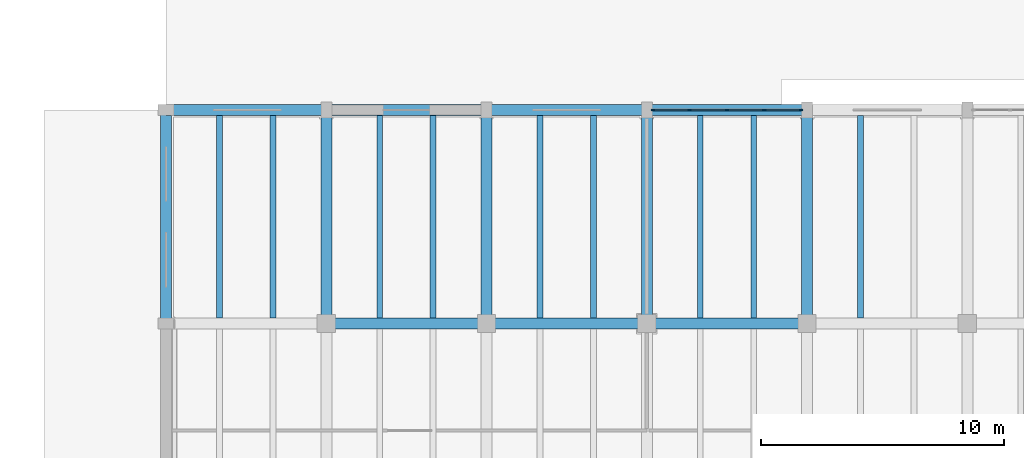
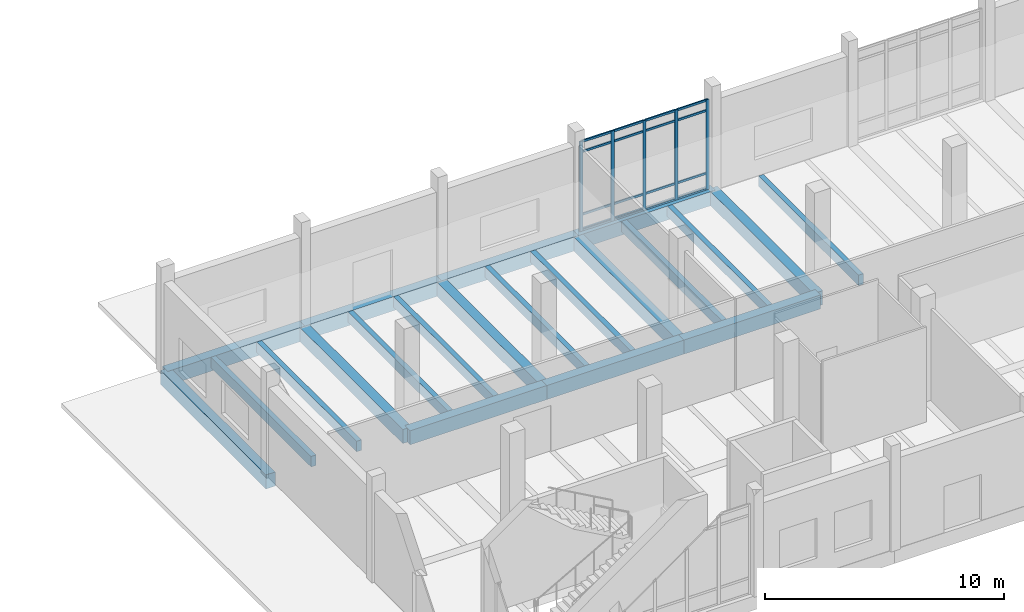
# One storey, part 11 of 72: 21 beams, 21 members, 1 element without a shape of its own.
"""IFC4 building model written with IfcOpenShell, lengths in metres."""

from ifc_helpers import new_model, si_unit, direction, frame, origin, origin_2d, place, context, subcontext, project, spatial, rectangle, extrude, material, material_profile, profile_set, type_object, element, aggregate, save


model = new_model("IFC4")

# Units and contexts
model_context = context("Model", 3, precision=1e-05, world=origin(), true_north=direction((0.0, 1.0)))
body_context = subcontext(model_context, "Body", "Model", "MODEL_VIEW")
ifc_project = project(units=[si_unit("LENGTHUNIT", "METRE"), si_unit("AREAUNIT", "SQUARE_METRE"), si_unit("VOLUMEUNIT", "CUBIC_METRE"), si_unit("PLANEANGLEUNIT", "RADIAN"), si_unit("MASSUNIT", "GRAM", prefix="KILO")], contexts=[model_context])

# Site, building, storey
site_placement = place(None, origin())
site = spatial("IfcSite", under=ifc_project, at=site_placement, CompositionType="ELEMENT")
building_placement = place(site_placement, origin())
building = spatial("IfcBuilding", under=site, at=building_placement, Name="Dornvale Research Institute", CompositionType="ELEMENT")
storey_placement = place(building_placement, origin())
storey = spatial("IfcBuildingStorey", under=building, at=storey_placement, Name="L00", CompositionType="ELEMENT", Elevation=0.0)

# Beams
ifc_material_1 = material(Name="Concrete f'c 45 MPa (C35/45)", Category="concrete")
ifc_material_profile_1 = material_profile(ifc_material_1, rectangle(XDim=0.449951171875, YDim=0.715087890625, at=origin_2d()), Name="RC 450x715")
ifc_profile_set_1 = profile_set([ifc_material_profile_1], Name="Concrete f'c 45 MPa (C35/45)")
beam_type_1 = type_object("IfcBeamType", Name="Beam_RC450x715_Lab", PredefinedType="BEAM", material=ifc_profile_set_1)
beam_1_placement = place(storey_placement, frame((105.60009765625, 17.60009765625, -0.357421875), z_axis=(1.0, 0.0, 0.0), x_axis=(0.0, 1.0, 0.0)))
element("IfcBeam", 1, at=beam_1_placement, inside=storey, type_object=beam_type_1, Name="L00 primary girder #156", PredefinedType="BEAM", context=body_context, shape_type="SweptSolid", body=[
    extrude(rectangle(XDim=0.449951171875, YDim=0.715087890625, at=origin_2d()), origin(), (0.0, 0.0, 1.0), 6.599853515625),
])
beam_2_placement = place(storey_placement, frame((112.199951171875, 17.60009765625, -0.357421875), z_axis=(1.0, 0.0, 0.0), x_axis=(0.0, 1.0, 0.0)))
element("IfcBeam", 2, at=beam_2_placement, inside=storey, type_object=beam_type_1, Name="L00 primary girder #157", PredefinedType="BEAM", context=body_context, shape_type="SweptSolid", body=[
    extrude(rectangle(XDim=0.449951171875, YDim=0.715087890625, at=origin_2d()), origin(), (0.0, 0.0, 1.0), 6.60009765625),
])
beam_3_placement = place(storey_placement, frame((118.800048828125, 17.60009765625, -0.357421875), z_axis=(1.0, 0.0, 0.0), x_axis=(0.0, 1.0, 0.0)))
element("IfcBeam", 3, at=beam_3_placement, inside=storey, type_object=beam_type_1, Name="L00 primary girder #158", PredefinedType="BEAM", context=body_context, shape_type="SweptSolid", body=[
    extrude(rectangle(XDim=0.449951171875, YDim=0.715087890625, at=origin_2d()), origin(), (0.0, 0.0, 1.0), 6.599853515625),
])
beam_4_placement = place(storey_placement, frame((99.0, 26.39990234375, -0.357421875), z_axis=(1.0, 0.0, 0.0), x_axis=(0.0, 1.0, 0.0)))
element("IfcBeam", 4, at=beam_4_placement, inside=storey, type_object=beam_type_1, Name="L00 primary girder #167", PredefinedType="BEAM", context=body_context, shape_type="SweptSolid", body=[
    extrude(rectangle(XDim=0.449951171875, YDim=0.715087890625, at=origin_2d()), origin(), (0.0, 0.0, 1.0), 6.60009765625),
])
beam_5_placement = place(storey_placement, frame((105.60009765625, 26.39990234375, -0.357421875), z_axis=(1.0, 0.0, 0.0), x_axis=(0.0, 1.0, 0.0)))
element("IfcBeam", 5, at=beam_5_placement, inside=storey, type_object=beam_type_1, Name="L00 primary girder #168", PredefinedType="BEAM", context=body_context, shape_type="SweptSolid", body=[
    extrude(rectangle(XDim=0.449951171875, YDim=0.715087890625, at=origin_2d()), origin(), (0.0, 0.0, 1.0), 6.599853515625),
])
beam_6_placement = place(storey_placement, frame((112.199951171875, 26.39990234375, -0.357421875), z_axis=(1.0, 0.0, 0.0), x_axis=(0.0, 1.0, 0.0)))
element("IfcBeam", 6, at=beam_6_placement, inside=storey, type_object=beam_type_1, Name="L00 primary girder #169", PredefinedType="BEAM", context=body_context, shape_type="SweptSolid", body=[
    extrude(rectangle(XDim=0.449951171875, YDim=0.715087890625, at=origin_2d()), origin(), (0.0, 0.0, 1.0), 6.60009765625),
])
beam_7_placement = place(storey_placement, frame((118.800048828125, 26.39990234375, -0.357421875), z_axis=(1.0, 0.0, 0.0), x_axis=(0.0, 1.0, 0.0)))
element("IfcBeam", 7, at=beam_7_placement, inside=storey, type_object=beam_type_1, Name="L00 primary girder #170", PredefinedType="BEAM", context=body_context, shape_type="SweptSolid", body=[
    extrude(rectangle(XDim=0.449951171875, YDim=0.715087890625, at=origin_2d()), origin(), (0.0, 0.0, 1.0), 6.599853515625),
])
for number, where, z_axis, x_axis, name in (
    (8, (99.0, 17.60009765625, -0.357421875), (0.0, 1.0, 0.0), (-1.0, 0.0, 0.0), "L00 transverse girder #181"),
    (9, (105.60009765625, 17.60009765625, -0.357421875), (0.0, 1.0, 0.0), (-1.0, 0.0, 0.0), "L00 transverse girder #183"),
    (10, (112.199951171875, 17.60009765625, -0.357421875), (0.0, 1.0, 0.0), (-1.0, 0.0, 0.0), "L00 transverse girder #186"),
    (11, (118.800048828125, 17.60009765625, -0.357421875), (0.0, 1.0, 0.0), (-1.0, 0.0, 0.0), "L00 transverse girder #189"),
    (12, (125.39990234375, 17.60009765625, -0.357421875), (0.0, 1.0, 0.0), (-1.0, 0.0, 0.0), "L00 transverse girder #192"),
):
    element("IfcBeam", number, at=place(storey_placement, frame(where, z_axis=z_axis, x_axis=x_axis)), inside=storey, type_object=beam_type_1, Name=name, PredefinedType="BEAM", context=body_context, shape_type="SweptSolid", body=[
        extrude(rectangle(XDim=0.449951171875, YDim=0.715087890625, at=origin_2d()), origin(), (0.0, 0.0, 1.0), 8.7998046875),
    ])
ifc_material_2 = material(Name="Concrete f'c 45 MPa (C35/45)", Category="concrete")
ifc_material_profile_2 = material_profile(ifc_material_2, rectangle(XDim=0.239990234375, YDim=0.534912109375, at=origin_2d()), Name="RC 240x535")
ifc_profile_set_2 = profile_set([ifc_material_profile_2], Name="Concrete f'c 45 MPa (C35/45)")
beam_type_2 = type_object("IfcBeamType", Name="Joist_RC240x535_Waffle", PredefinedType="JOIST", material=ifc_profile_set_2)
for number, where, z_axis, x_axis, name in (
    (13, (101.199951171875, 17.824951171875, -0.267578125), (0.0, 1.0, 0.0), (-1.0, 0.0, 0.0), "L00 laboratory waffle joist #79"),
    (14, (103.39990234375, 17.824951171875, -0.267578125), (0.0, 1.0, 0.0), (-1.0, 0.0, 0.0), "L00 laboratory waffle joist #80"),
    (15, (107.800048828125, 17.824951171875, -0.267578125), (0.0, 1.0, 0.0), (-1.0, 0.0, 0.0), "L00 laboratory waffle joist #83"),
    (16, (110.0, 17.824951171875, -0.267578125), (0.0, 1.0, 0.0), (-1.0, 0.0, 0.0), "L00 laboratory waffle joist #84"),
    (17, (114.39990234375, 17.824951171875, -0.267578125), (0.0, 1.0, 0.0), (-1.0, 0.0, 0.0), "L00 laboratory waffle joist #87"),
    (18, (116.60009765625, 17.824951171875, -0.267578125), (0.0, 1.0, 0.0), (-1.0, 0.0, 0.0), "L00 laboratory waffle joist #88"),
    (19, (121.0, 17.824951171875, -0.267578125), (0.0, 1.0, 0.0), (-1.0, 0.0, 0.0), "L00 laboratory waffle joist #93"),
    (20, (123.199951171875, 17.824951171875, -0.267578125), (0.0, 1.0, 0.0), (-1.0, 0.0, 0.0), "L00 laboratory waffle joist #94"),
    (21, (127.60009765625, 17.824951171875, -0.267578125), (0.0, 1.0, 0.0), (-1.0, 0.0, 0.0), "L00 laboratory waffle joist #99"),
):
    element("IfcBeam", number, at=place(storey_placement, frame(where, z_axis=z_axis, x_axis=x_axis)), inside=storey, type_object=beam_type_2, Name=name, PredefinedType="JOIST", context=body_context, shape_type="SweptSolid", body=[
        extrude(rectangle(XDim=0.239990234375, YDim=0.534912109375, at=origin_2d()), origin(), (0.0, 0.0, 1.0), 8.35009765625),
    ])

# Curtain wall, members
ifc_material_3 = material(Name="Low-E Argon Double Insulating Glazing Unit", Category="glass")
curtain_wall_type = type_object("IfcCurtainWallType", Name="UnitisedCurtainWall_V3_6150x4600", PredefinedType="USERDEFINED", material=ifc_material_3)
curtain_wall_placement = place(storey_placement, origin())
curtain_wall = element("IfcCurtainWall", 22, at=curtain_wall_placement, inside=storey, type_object=curtain_wall_type, Name="L00 V3 unitised curtain wall CW-04 #20", ObjectType="UNITISED CURTAIN WALL", PredefinedType="USERDEFINED")
ifc_material_4 = material(Name="Anodized Aluminum AA 6063-T6 Thermally Broken Frame", Category="aluminium")
ifc_material_profile_3 = material_profile(ifc_material_4, rectangle(XDim=0.06494140625, YDim=0.14990234375, at=origin_2d()), Name="ALU MULLION 65x150")
ifc_profile_set_3 = profile_set([ifc_material_profile_3], Name="Anodized Aluminum AA 6063-T6 Thermally Broken Frame")
member_type_1 = type_object("IfcMemberType", Name="Mullion_CW_65x150", PredefinedType="MULLION", material=ifc_profile_set_3)
member_1_placement = place(storey_placement, frame((119.0576171875, 26.39990234375, 0.0), z_axis=(0.0, 0.0, 1.0), x_axis=(0.0, 1.0, 0.0)))
member_1 = element("IfcMember", 23, at=member_1_placement, type_object=member_type_1, Name="CW-04 mullion 1", PredefinedType="MULLION", context=body_context, shape_type="SweptSolid", body=[
    extrude(rectangle(XDim=0.06494140625, YDim=0.14990234375, at=origin_2d()), origin(), (0.0, 0.0, 1.0), 4.60009765625),
])
member_2_placement = place(storey_placement, frame((120.5625, 26.39990234375, 0.0), z_axis=(0.0, 0.0, 1.0), x_axis=(0.0, 1.0, 0.0)))
member_2 = element("IfcMember", 24, at=member_2_placement, type_object=member_type_1, Name="CW-04 mullion 2", PredefinedType="MULLION", context=body_context, shape_type="SweptSolid", body=[
    extrude(rectangle(XDim=0.06494140625, YDim=0.14990234375, at=origin_2d()), origin(), (0.0, 0.0, 1.0), 4.60009765625),
])
member_3_placement = place(storey_placement, frame((122.10009765625, 26.39990234375, 0.0), z_axis=(0.0, 0.0, 1.0), x_axis=(0.0, 1.0, 0.0)))
member_3 = element("IfcMember", 25, at=member_3_placement, type_object=member_type_1, Name="CW-04 mullion 3", PredefinedType="MULLION", context=body_context, shape_type="SweptSolid", body=[
    extrude(rectangle(XDim=0.06494140625, YDim=0.14990234375, at=origin_2d()), origin(), (0.0, 0.0, 1.0), 4.60009765625),
])
member_4_placement = place(storey_placement, frame((123.637451171875, 26.39990234375, 0.0), z_axis=(0.0, 0.0, 1.0), x_axis=(0.0, 1.0, 0.0)))
member_4 = element("IfcMember", 26, at=member_4_placement, type_object=member_type_1, Name="CW-04 mullion 4", PredefinedType="MULLION", context=body_context, shape_type="SweptSolid", body=[
    extrude(rectangle(XDim=0.06494140625, YDim=0.14990234375, at=origin_2d()), origin(), (0.0, 0.0, 1.0), 4.60009765625),
])
member_5_placement = place(storey_placement, frame((125.142578125, 26.39990234375, 0.0), z_axis=(0.0, 0.0, 1.0), x_axis=(0.0, 1.0, 0.0)))
member_5 = element("IfcMember", 27, at=member_5_placement, type_object=member_type_1, Name="CW-04 mullion 5", PredefinedType="MULLION", context=body_context, shape_type="SweptSolid", body=[
    extrude(rectangle(XDim=0.06494140625, YDim=0.14990234375, at=origin_2d()), origin(), (0.0, 0.0, 1.0), 4.60009765625),
])
ifc_material_5 = material(Name="Anodized Aluminum AA 6063-T6 Thermally Broken Frame", Category="aluminium")
ifc_material_profile_4 = material_profile(ifc_material_5, rectangle(XDim=0.06494140625, YDim=0.110107421875, at=origin_2d()), Name="ALU TRANSOM 65x110")
ifc_profile_set_4 = profile_set([ifc_material_profile_4], Name="Anodized Aluminum AA 6063-T6 Thermally Broken Frame")
member_type_2 = type_object("IfcMemberType", Name="Transom_CW_65x110", PredefinedType="USERDEFINED", material=ifc_profile_set_4)
member_6_placement = place(storey_placement, frame((119.090087890625, 26.39990234375, 0.032470703125), z_axis=(1.0, 0.0, 0.0), x_axis=(0.0, 1.0, 0.0)))
member_6 = element("IfcMember", 28, at=member_6_placement, type_object=member_type_2, Name="CW-04 transom 1.1", ObjectType="TRANSOM", PredefinedType="USERDEFINED", context=body_context, shape_type="SweptSolid", body=[
    extrude(rectangle(XDim=0.06494140625, YDim=0.110107421875, at=origin_2d()), origin(), (0.0, 0.0, 1.0), 1.43994140625),
])
member_7_placement = place(storey_placement, frame((119.090087890625, 26.39990234375, 0.85009765625), z_axis=(1.0, 0.0, 0.0), x_axis=(0.0, 1.0, 0.0)))
member_7 = element("IfcMember", 29, at=member_7_placement, type_object=member_type_2, Name="CW-04 transom 1.2", ObjectType="TRANSOM", PredefinedType="USERDEFINED", context=body_context, shape_type="SweptSolid", body=[
    extrude(rectangle(XDim=0.06494140625, YDim=0.110107421875, at=origin_2d()), origin(), (0.0, 0.0, 1.0), 1.43994140625),
])
member_8_placement = place(storey_placement, frame((119.090087890625, 26.39990234375, 4.050048828125), z_axis=(1.0, 0.0, 0.0), x_axis=(0.0, 1.0, 0.0)))
member_8 = element("IfcMember", 30, at=member_8_placement, type_object=member_type_2, Name="CW-04 transom 1.3", ObjectType="TRANSOM", PredefinedType="USERDEFINED", context=body_context, shape_type="SweptSolid", body=[
    extrude(rectangle(XDim=0.06494140625, YDim=0.110107421875, at=origin_2d()), origin(), (0.0, 0.0, 1.0), 1.43994140625),
])
member_9_placement = place(storey_placement, frame((119.090087890625, 26.39990234375, 4.5673828125), z_axis=(1.0, 0.0, 0.0), x_axis=(0.0, 1.0, 0.0)))
member_9 = element("IfcMember", 31, at=member_9_placement, type_object=member_type_2, Name="CW-04 transom 1.4", ObjectType="TRANSOM", PredefinedType="USERDEFINED", context=body_context, shape_type="SweptSolid", body=[
    extrude(rectangle(XDim=0.06494140625, YDim=0.110107421875, at=origin_2d()), origin(), (0.0, 0.0, 1.0), 1.43994140625),
])
member_10_placement = place(storey_placement, frame((120.594970703125, 26.39990234375, 0.032470703125), z_axis=(1.0, 0.0, 0.0), x_axis=(0.0, 1.0, 0.0)))
member_10 = element("IfcMember", 32, at=member_10_placement, type_object=member_type_2, Name="CW-04 transom 2.1", ObjectType="TRANSOM", PredefinedType="USERDEFINED", context=body_context, shape_type="SweptSolid", body=[
    extrude(rectangle(XDim=0.06494140625, YDim=0.110107421875, at=origin_2d()), origin(), (0.0, 0.0, 1.0), 1.472412109375),
])
member_11_placement = place(storey_placement, frame((120.594970703125, 26.39990234375, 0.85009765625), z_axis=(1.0, 0.0, 0.0), x_axis=(0.0, 1.0, 0.0)))
member_11 = element("IfcMember", 33, at=member_11_placement, type_object=member_type_2, Name="CW-04 transom 2.2", ObjectType="TRANSOM", PredefinedType="USERDEFINED", context=body_context, shape_type="SweptSolid", body=[
    extrude(rectangle(XDim=0.06494140625, YDim=0.110107421875, at=origin_2d()), origin(), (0.0, 0.0, 1.0), 1.472412109375),
])
member_12_placement = place(storey_placement, frame((120.594970703125, 26.39990234375, 4.050048828125), z_axis=(1.0, 0.0, 0.0), x_axis=(0.0, 1.0, 0.0)))
member_12 = element("IfcMember", 34, at=member_12_placement, type_object=member_type_2, Name="CW-04 transom 2.3", ObjectType="TRANSOM", PredefinedType="USERDEFINED", context=body_context, shape_type="SweptSolid", body=[
    extrude(rectangle(XDim=0.06494140625, YDim=0.110107421875, at=origin_2d()), origin(), (0.0, 0.0, 1.0), 1.472412109375),
])
member_13_placement = place(storey_placement, frame((120.594970703125, 26.39990234375, 4.5673828125), z_axis=(1.0, 0.0, 0.0), x_axis=(0.0, 1.0, 0.0)))
member_13 = element("IfcMember", 35, at=member_13_placement, type_object=member_type_2, Name="CW-04 transom 2.4", ObjectType="TRANSOM", PredefinedType="USERDEFINED", context=body_context, shape_type="SweptSolid", body=[
    extrude(rectangle(XDim=0.06494140625, YDim=0.110107421875, at=origin_2d()), origin(), (0.0, 0.0, 1.0), 1.472412109375),
])
member_14_placement = place(storey_placement, frame((122.132568359375, 26.39990234375, 0.032470703125), z_axis=(1.0, 0.0, 0.0), x_axis=(0.0, 1.0, 0.0)))
member_14 = element("IfcMember", 36, at=member_14_placement, type_object=member_type_2, Name="CW-04 transom 3.1", ObjectType="TRANSOM", PredefinedType="USERDEFINED", context=body_context, shape_type="SweptSolid", body=[
    extrude(rectangle(XDim=0.06494140625, YDim=0.110107421875, at=origin_2d()), origin(), (0.0, 0.0, 1.0), 1.472412109375),
])
member_15_placement = place(storey_placement, frame((122.132568359375, 26.39990234375, 0.85009765625), z_axis=(1.0, 0.0, 0.0), x_axis=(0.0, 1.0, 0.0)))
member_15 = element("IfcMember", 37, at=member_15_placement, type_object=member_type_2, Name="CW-04 transom 3.2", ObjectType="TRANSOM", PredefinedType="USERDEFINED", context=body_context, shape_type="SweptSolid", body=[
    extrude(rectangle(XDim=0.06494140625, YDim=0.110107421875, at=origin_2d()), origin(), (0.0, 0.0, 1.0), 1.472412109375),
])
member_16_placement = place(storey_placement, frame((122.132568359375, 26.39990234375, 4.050048828125), z_axis=(1.0, 0.0, 0.0), x_axis=(0.0, 1.0, 0.0)))
member_16 = element("IfcMember", 38, at=member_16_placement, type_object=member_type_2, Name="CW-04 transom 3.3", ObjectType="TRANSOM", PredefinedType="USERDEFINED", context=body_context, shape_type="SweptSolid", body=[
    extrude(rectangle(XDim=0.06494140625, YDim=0.110107421875, at=origin_2d()), origin(), (0.0, 0.0, 1.0), 1.472412109375),
])
member_17_placement = place(storey_placement, frame((122.132568359375, 26.39990234375, 4.5673828125), z_axis=(1.0, 0.0, 0.0), x_axis=(0.0, 1.0, 0.0)))
member_17 = element("IfcMember", 39, at=member_17_placement, type_object=member_type_2, Name="CW-04 transom 3.4", ObjectType="TRANSOM", PredefinedType="USERDEFINED", context=body_context, shape_type="SweptSolid", body=[
    extrude(rectangle(XDim=0.06494140625, YDim=0.110107421875, at=origin_2d()), origin(), (0.0, 0.0, 1.0), 1.472412109375),
])
member_18_placement = place(storey_placement, frame((123.669921875, 26.39990234375, 0.032470703125), z_axis=(1.0, 0.0, 0.0), x_axis=(0.0, 1.0, 0.0)))
member_18 = element("IfcMember", 40, at=member_18_placement, type_object=member_type_2, Name="CW-04 transom 4.1", ObjectType="TRANSOM", PredefinedType="USERDEFINED", context=body_context, shape_type="SweptSolid", body=[
    extrude(rectangle(XDim=0.06494140625, YDim=0.110107421875, at=origin_2d()), origin(), (0.0, 0.0, 1.0), 1.440185546875),
])
member_19_placement = place(storey_placement, frame((123.669921875, 26.39990234375, 0.85009765625), z_axis=(1.0, 0.0, 0.0), x_axis=(0.0, 1.0, 0.0)))
member_19 = element("IfcMember", 41, at=member_19_placement, type_object=member_type_2, Name="CW-04 transom 4.2", ObjectType="TRANSOM", PredefinedType="USERDEFINED", context=body_context, shape_type="SweptSolid", body=[
    extrude(rectangle(XDim=0.06494140625, YDim=0.110107421875, at=origin_2d()), origin(), (0.0, 0.0, 1.0), 1.440185546875),
])
member_20_placement = place(storey_placement, frame((123.669921875, 26.39990234375, 4.050048828125), z_axis=(1.0, 0.0, 0.0), x_axis=(0.0, 1.0, 0.0)))
member_20 = element("IfcMember", 42, at=member_20_placement, type_object=member_type_2, Name="CW-04 transom 4.3", ObjectType="TRANSOM", PredefinedType="USERDEFINED", context=body_context, shape_type="SweptSolid", body=[
    extrude(rectangle(XDim=0.06494140625, YDim=0.110107421875, at=origin_2d()), origin(), (0.0, 0.0, 1.0), 1.440185546875),
])
member_21_placement = place(storey_placement, frame((123.669921875, 26.39990234375, 4.5673828125), z_axis=(1.0, 0.0, 0.0), x_axis=(0.0, 1.0, 0.0)))
member_21 = element("IfcMember", 43, at=member_21_placement, type_object=member_type_2, Name="CW-04 transom 4.4", ObjectType="TRANSOM", PredefinedType="USERDEFINED", context=body_context, shape_type="SweptSolid", body=[
    extrude(rectangle(XDim=0.06494140625, YDim=0.110107421875, at=origin_2d()), origin(), (0.0, 0.0, 1.0), 1.440185546875),
])
aggregate(curtain_wall, [member_1, member_2, member_3, member_4, member_5, member_6, member_7, member_8, member_9, member_10, member_11, member_12, member_13, member_14, member_15, member_16, member_17, member_18, member_19, member_20, member_21])

save(model, "model.ifc")
